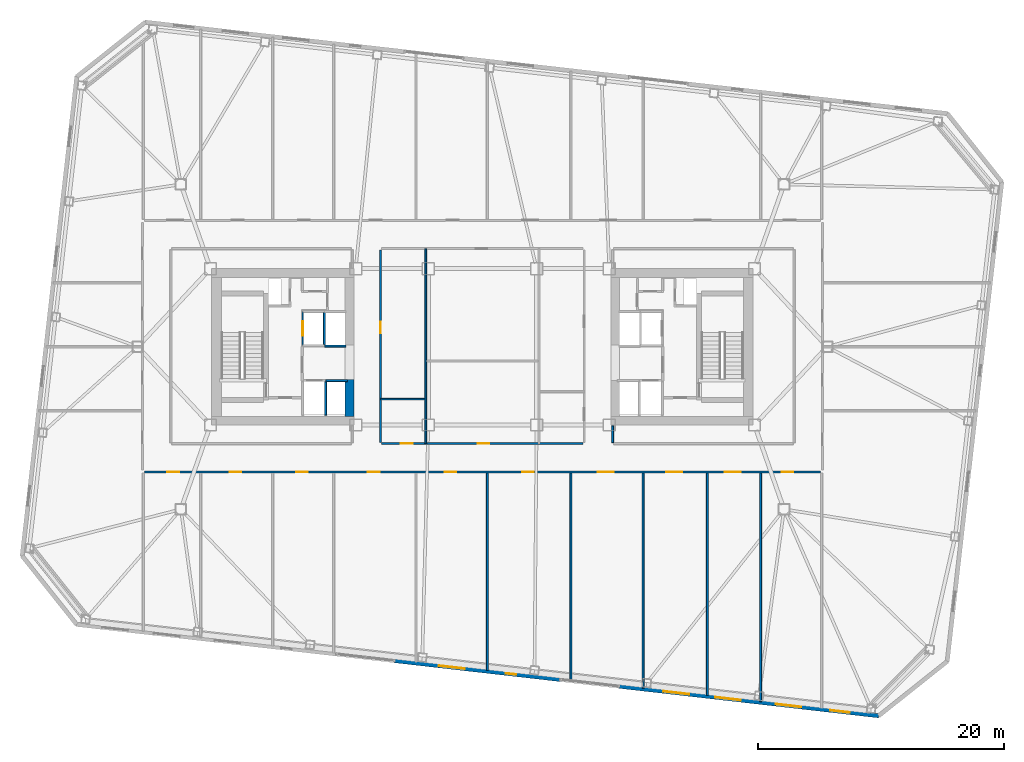
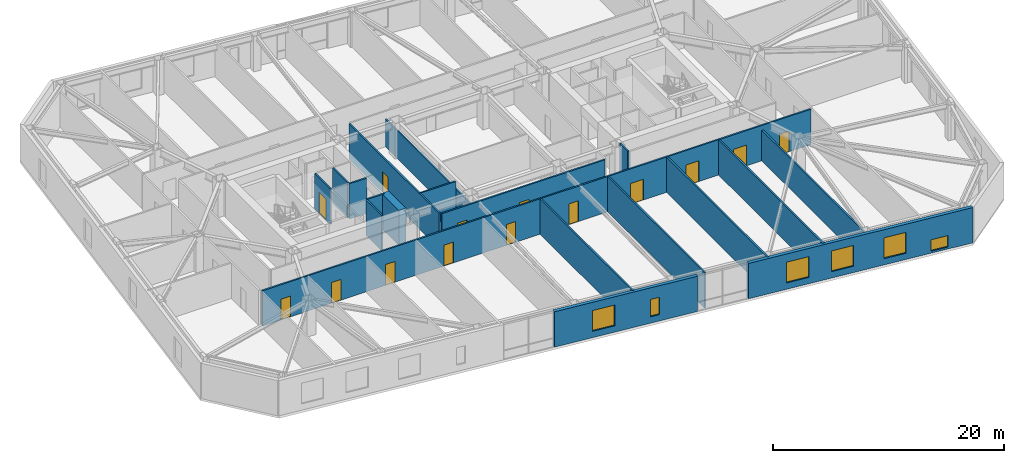
# One storey, part 12 of 21: 19 walls, 14 doors, 6 windows, 20 openings.
"""IFC4 building model written with IfcOpenShell, lengths in metres."""

from ifc_helpers import new_model, si_unit, direction, frame, frame_2d, origin, place, context, subcontext, project, spatial, rectangle, extrude, material, layer, layer_set, type_object, element, fill, save


model = new_model("IFC4")

# Units and contexts
model_context = context("Model", 3, precision=1e-05, world=origin(), true_north=direction((0.0, 1.0)))
body_context = subcontext(model_context, "Body", "Model", "MODEL_VIEW")
ifc_project = project(units=[si_unit("LENGTHUNIT", "METRE"), si_unit("AREAUNIT", "SQUARE_METRE"), si_unit("VOLUMEUNIT", "CUBIC_METRE"), si_unit("PLANEANGLEUNIT", "RADIAN"), si_unit("MASSUNIT", "GRAM", prefix="KILO")], contexts=[model_context])

# Site, building, storey
site_placement = place(None, origin())
site = spatial("IfcSite", under=ifc_project, at=site_placement, CompositionType="ELEMENT")
building_placement = place(site_placement, origin())
building = spatial("IfcBuilding", under=site, at=building_placement, Name="Tavrogorsk Clinical Tower", CompositionType="ELEMENT")
storey_placement = place(building_placement, frame((0.0, 0.0, 129.39990234375)))
storey = spatial("IfcBuildingStorey", under=building, at=storey_placement, Name="L29", CompositionType="ELEMENT", Elevation=129.39990234375)

# Walls
ifc_material_1 = material(Name="Lightweight concrete blockwork B15", Category="masonry")
ifc_layer_1 = layer(ifc_material_1, 0.139892578125)
ifc_layer_set_1 = layer_set([ifc_layer_1], Name="Lightweight concrete blockwork B15")
wall_type_1 = type_object("IfcWallType", Name="PartitionWall_140", PredefinedType="PARTITIONING", material=ifc_layer_set_1)
wall_1_placement = place(storey_placement, frame((-4.60009765625, -7.864990234375, 0.0), z_axis=(0.0, 0.0, 1.0), x_axis=(0.0, 1.0, 0.0)))
element("IfcWall", 1, at=wall_1_placement, inside=storey, type_object=wall_type_1, Name="L29 Central Spine Partition 1", PredefinedType="PARTITIONING", context=body_context, shape_type="SweptSolid", body=[
    extrude(rectangle(XDim=15.830078125, YDim=0.139892578125, at=frame_2d((7.9150390625, 0.0))), origin(), (0.0, 0.0, 1.0), 2.93505859375),
])
wall_2_placement = place(storey_placement, frame((-8.264892578125, -4.25, 0.0), z_axis=(0.0, 0.0, 1.0), x_axis=(1.0, 0.0, 0.0)))
element("IfcWall", 2, at=wall_2_placement, inside=storey, type_object=wall_type_1, Name="L29 Central Spine Partition 4", PredefinedType="PARTITIONING", context=body_context, shape_type="SweptSolid", body=[
    extrude(rectangle(XDim=3.58984375, YDim=0.139892578125, at=frame_2d((1.794921875, 0.0))), origin(), (0.0, 0.0, 1.0), 3.739990234375),
])

# Wall, openings, doors
ifc_material_2 = material(Name="Lightweight concrete blockwork B15", Category="masonry")
ifc_layer_2 = layer(ifc_material_2, 0.159912109375)
ifc_layer_set_2 = layer_set([ifc_layer_2], Name="Lightweight concrete blockwork B15")
wall_type_2 = type_object("IfcWallType", Name="PartitionWall_160", PredefinedType="PARTITIONING", material=ifc_layer_set_2)
wall_3_placement = place(storey_placement, frame((27.465087890625, -10.179931640625, 0.0), z_axis=(0.0, 0.0, 1.0), x_axis=(-1.0, 0.0, 0.0)))
wall_3 = element("IfcWall", 3, at=wall_3_placement, inside=storey, type_object=wall_type_2, Name="L29 Corridor Partition 04", PredefinedType="PARTITIONING", context=body_context, shape_type="SweptSolid", body=[
    extrude(rectangle(XDim=54.93017578125, YDim=0.159912109375, at=frame_2d((27.465087890625, 0.0))), origin(), (0.0, 0.0, 1.0), 3.739990234375),
])
opening_1_placement = place(wall_3_placement, frame((52.10595703125, 0.0, 0.0)))
opening_1 = element("IfcOpeningElement", 4, at=opening_1_placement, cuts=wall_3, Name="Opening ID-02", PredefinedType="OPENING", context=body_context, shape_type="SweptSolid", body=[
    extrude(rectangle(XDim=0.949951171875, YDim=2.199951171875, at=frame_2d((0.47509765625, 1.10009765625))), frame((0.0, 0.08984375, 0.0), z_axis=(0.0, -1.0, 0.0), x_axis=(1.0, 0.0, 0.0)), (0.0, 0.0, 1.0), 0.179931640625),
])
opening_2_placement = place(wall_3_placement, frame((47.050048828125, 0.0, 0.0)))
opening_2 = element("IfcOpeningElement", 5, at=opening_2_placement, cuts=wall_3, Name="Opening ID-02", PredefinedType="OPENING", context=body_context, shape_type="SweptSolid", body=[
    extrude(rectangle(XDim=0.949951171875, YDim=2.199951171875, at=frame_2d((0.47509765625, 1.10009765625))), frame((0.0, 0.08984375, 0.0), z_axis=(0.0, -1.0, 0.0), x_axis=(1.0, 0.0, 0.0)), (0.0, 0.0, 1.0), 0.179931640625),
])
opening_3_placement = place(wall_3_placement, frame((41.64990234375, 0.0, 0.0)))
opening_3 = element("IfcOpeningElement", 6, at=opening_3_placement, cuts=wall_3, Name="Opening ID-02", PredefinedType="OPENING", context=body_context, shape_type="SweptSolid", body=[
    extrude(rectangle(XDim=0.949951171875, YDim=2.199951171875, at=frame_2d((0.47509765625, 1.10009765625))), frame((0.0, 0.08984375, 0.0), z_axis=(0.0, -1.0, 0.0), x_axis=(1.0, 0.0, 0.0)), (0.0, 0.0, 1.0), 0.179931640625),
])
opening_4_placement = place(wall_3_placement, frame((35.824951171875, 0.0, 0.0)))
opening_4 = element("IfcOpeningElement", 7, at=opening_4_placement, cuts=wall_3, Name="Opening ID-02", PredefinedType="OPENING", context=body_context, shape_type="SweptSolid", body=[
    extrude(rectangle(XDim=0.949951171875, YDim=2.199951171875, at=frame_2d((0.47509765625, 1.10009765625))), frame((0.0, 0.08984375, 0.0), z_axis=(0.0, -1.0, 0.0), x_axis=(1.0, 0.0, 0.0)), (0.0, 0.0, 1.0), 0.179931640625),
])
opening_5_placement = place(wall_3_placement, frame((29.574951171875, 0.0, 0.0)))
opening_5 = element("IfcOpeningElement", 8, at=opening_5_placement, cuts=wall_3, Name="Opening ID-02", PredefinedType="OPENING", context=body_context, shape_type="SweptSolid", body=[
    extrude(rectangle(XDim=0.949951171875, YDim=2.199951171875, at=frame_2d((0.47509765625, 1.10009765625))), frame((0.0, 0.08984375, 0.0), z_axis=(0.0, -1.0, 0.0), x_axis=(1.0, 0.0, 0.0)), (0.0, 0.0, 1.0), 0.179931640625),
])
opening_6_placement = place(wall_3_placement, frame((23.284912109375, 0.0, 0.0)))
opening_6 = element("IfcOpeningElement", 9, at=opening_6_placement, cuts=wall_3, Name="Opening ID-02", PredefinedType="OPENING", context=body_context, shape_type="SweptSolid", body=[
    extrude(rectangle(XDim=0.949951171875, YDim=2.199951171875, at=frame_2d((0.47509765625, 1.10009765625))), frame((0.0, 0.08984375, 0.0), z_axis=(0.0, -1.0, 0.0), x_axis=(1.0, 0.0, 0.0)), (0.0, 0.0, 1.0), 0.179931640625),
])
opening_7_placement = place(wall_3_placement, frame((16.780029296875, 0.0, 0.0)))
opening_7 = element("IfcOpeningElement", 10, at=opening_7_placement, cuts=wall_3, Name="Opening ID-01", PredefinedType="OPENING", context=body_context, shape_type="SweptSolid", body=[
    extrude(rectangle(XDim=1.300048828125, YDim=2.199951171875, at=frame_2d((0.64990234375, 1.10009765625))), frame((0.0, 0.08984375, 0.0), z_axis=(0.0, -1.0, 0.0), x_axis=(1.0, 0.0, 0.0)), (0.0, 0.0, 1.0), 0.179931640625),
])
opening_8_placement = place(wall_3_placement, frame((11.22998046875, 0.0, 0.0)))
opening_8 = element("IfcOpeningElement", 11, at=opening_8_placement, cuts=wall_3, Name="Opening ID-01", PredefinedType="OPENING", context=body_context, shape_type="SweptSolid", body=[
    extrude(rectangle(XDim=1.300048828125, YDim=2.199951171875, at=frame_2d((0.64990234375, 1.10009765625))), frame((0.0, 0.08984375, 0.0), z_axis=(0.0, -1.0, 0.0), x_axis=(1.0, 0.0, 0.0)), (0.0, 0.0, 1.0), 0.179931640625),
])
opening_9_placement = place(wall_3_placement, frame((6.4599609375, 0.0, 0.0)))
opening_9 = element("IfcOpeningElement", 12, at=opening_9_placement, cuts=wall_3, Name="Opening ID-01", PredefinedType="OPENING", context=body_context, shape_type="SweptSolid", body=[
    extrude(rectangle(XDim=1.300048828125, YDim=2.199951171875, at=frame_2d((0.64990234375, 1.10009765625))), frame((0.0, 0.08984375, 0.0), z_axis=(0.0, -1.0, 0.0), x_axis=(1.0, 0.0, 0.0)), (0.0, 0.0, 1.0), 0.179931640625),
])
opening_10_placement = place(wall_3_placement, frame((2.194091796875, 0.0, 0.0)))
opening_10 = element("IfcOpeningElement", 13, at=opening_10_placement, cuts=wall_3, Name="Opening ID-02", PredefinedType="OPENING", context=body_context, shape_type="SweptSolid", body=[
    extrude(rectangle(XDim=0.949951171875, YDim=2.199951171875, at=frame_2d((0.47509765625, 1.10009765625))), frame((0.0, 0.08984375, 0.0), z_axis=(0.0, -1.0, 0.0), x_axis=(1.0, 0.0, 0.0)), (0.0, 0.0, 1.0), 0.179931640625),
])
ifc_material_3 = material(Name="Laminated timber leaf on aluminium frame", Category="wood")
door_type_1 = type_object("IfcDoorType", Name="InteriorDoor_ID02_950", OperationType="NOTDEFINED", PredefinedType="DOOR", material=ifc_material_3)
door_1_placement = place(opening_1_placement, origin())
door_1 = element("IfcDoor", 14, at=door_1_placement, inside=storey, type_object=door_type_1, Name="L29 South Clean Medication & Prep Room 01 Door", OperationType="SINGLE_SWING_RIGHT", OverallHeight=2.199951171875, OverallWidth=0.949951171875, PredefinedType="DOOR", context=body_context, shape_type="SweptSolid", body=[
    extrude(rectangle(XDim=0.949951171875, YDim=2.199951171875, at=frame_2d((0.47509765625, 1.10009765625))), frame((0.0, 0.02490234375, 0.0), z_axis=(0.0, -1.0, 0.0), x_axis=(1.0, 0.0, 0.0)), (0.0, 0.0, 1.0), 0.050048828125),
])
fill(opening_1, door_1)
door_2_placement = place(opening_2_placement, origin())
door_2 = element("IfcDoor", 15, at=door_2_placement, inside=storey, type_object=door_type_1, Name="L29 South Outpatient Procedure Suite 02A Door", OperationType="SINGLE_SWING_LEFT", OverallHeight=2.199951171875, OverallWidth=0.949951171875, PredefinedType="DOOR", context=body_context, shape_type="SweptSolid", body=[
    extrude(rectangle(XDim=0.949951171875, YDim=2.199951171875, at=frame_2d((0.47509765625, 1.10009765625))), frame((0.0, 0.02490234375, 0.0), z_axis=(0.0, -1.0, 0.0), x_axis=(1.0, 0.0, 0.0)), (0.0, 0.0, 1.0), 0.050048828125),
])
fill(opening_2, door_2)
door_3_placement = place(opening_3_placement, origin())
door_3 = element("IfcDoor", 16, at=door_3_placement, inside=storey, type_object=door_type_1, Name="L29 South Clinical Case Seminar Room 02B Door", OperationType="SINGLE_SWING_RIGHT", OverallHeight=2.199951171875, OverallWidth=0.949951171875, PredefinedType="DOOR", context=body_context, shape_type="SweptSolid", body=[
    extrude(rectangle(XDim=0.949951171875, YDim=2.199951171875, at=frame_2d((0.47509765625, 1.10009765625))), frame((0.0, 0.02490234375, 0.0), z_axis=(0.0, -1.0, 0.0), x_axis=(1.0, 0.0, 0.0)), (0.0, 0.0, 1.0), 0.050048828125),
])
fill(opening_3, door_3)
door_4_placement = place(opening_4_placement, origin())
door_4 = element("IfcDoor", 17, at=door_4_placement, inside=storey, type_object=door_type_1, Name="L29 South Cardiology Diagnostics Room 03A Door", OperationType="SINGLE_SWING_LEFT", OverallHeight=2.199951171875, OverallWidth=0.949951171875, PredefinedType="DOOR", context=body_context, shape_type="SweptSolid", body=[
    extrude(rectangle(XDim=0.949951171875, YDim=2.199951171875, at=frame_2d((0.47509765625, 1.10009765625))), frame((0.0, 0.02490234375, 0.0), z_axis=(0.0, -1.0, 0.0), x_axis=(1.0, 0.0, 0.0)), (0.0, 0.0, 1.0), 0.050048828125),
])
fill(opening_4, door_4)
door_5_placement = place(opening_5_placement, origin())
door_5 = element("IfcDoor", 18, at=door_5_placement, inside=storey, type_object=door_type_1, Name="L29 South Staff Rest & Nourishment Lounge 03B Door", OperationType="SINGLE_SWING_RIGHT", OverallHeight=2.199951171875, OverallWidth=0.949951171875, PredefinedType="DOOR", context=body_context, shape_type="SweptSolid", body=[
    extrude(rectangle(XDim=0.949951171875, YDim=2.199951171875, at=frame_2d((0.47509765625, 1.10009765625))), frame((0.0, 0.02490234375, 0.0), z_axis=(0.0, -1.0, 0.0), x_axis=(1.0, 0.0, 0.0)), (0.0, 0.0, 1.0), 0.050048828125),
])
fill(opening_5, door_5)
door_6_placement = place(opening_6_placement, origin())
door_6 = element("IfcDoor", 19, at=door_6_placement, inside=storey, type_object=door_type_1, Name="L29 South Attending Physician Office 04A Door", OperationType="SINGLE_SWING_LEFT", OverallHeight=2.199951171875, OverallWidth=0.949951171875, PredefinedType="DOOR", context=body_context, shape_type="SweptSolid", body=[
    extrude(rectangle(XDim=0.949951171875, YDim=2.199951171875, at=frame_2d((0.47509765625, 1.10009765625))), frame((0.0, 0.02490234375, 0.0), z_axis=(0.0, -1.0, 0.0), x_axis=(1.0, 0.0, 0.0)), (0.0, 0.0, 1.0), 0.050048828125),
])
fill(opening_6, door_6)
door_7_placement = place(opening_10_placement, origin())
door_7 = element("IfcDoor", 20, at=door_7_placement, inside=storey, type_object=door_type_1, Name="L29 South Clean Medication & Prep Room 06 Door", OperationType="SINGLE_SWING_LEFT", OverallHeight=2.199951171875, OverallWidth=0.949951171875, PredefinedType="DOOR", context=body_context, shape_type="SweptSolid", body=[
    extrude(rectangle(XDim=0.949951171875, YDim=2.199951171875, at=frame_2d((0.47509765625, 1.10009765625))), frame((0.0, 0.02490234375, 0.0), z_axis=(0.0, -1.0, 0.0), x_axis=(1.0, 0.0, 0.0)), (0.0, 0.0, 1.0), 0.050048828125),
])
fill(opening_10, door_7)
ifc_material_4 = material(Name="Antibacterial HPL medical leaf on aluminium frame", Category="aluminium")
door_type_2 = type_object("IfcDoorType", Name="WardBedDoor_ID01_1300", OperationType="NOTDEFINED", PredefinedType="DOOR", material=ifc_material_4)
door_8_placement = place(opening_7_placement, origin())
door_8 = element("IfcDoor", 21, at=door_8_placement, inside=storey, type_object=door_type_2, Name="L29 South Bariatric Observation Ward 04B Door", OperationType="SINGLE_SWING_RIGHT", OverallHeight=2.199951171875, OverallWidth=1.300048828125, PredefinedType="DOOR", context=body_context, shape_type="SweptSolid", body=[
    extrude(rectangle(XDim=1.300048828125, YDim=2.199951171875, at=frame_2d((0.64990234375, 1.10009765625))), frame((0.0, 0.02490234375, 0.0), z_axis=(0.0, -1.0, 0.0), x_axis=(1.0, 0.0, 0.0)), (0.0, 0.0, 1.0), 0.050048828125),
])
fill(opening_7, door_8)
door_9_placement = place(opening_8_placement, origin())
door_9 = element("IfcDoor", 22, at=door_9_placement, inside=storey, type_object=door_type_2, Name="L29 South Acute Medical Ward 05A Door", OperationType="SINGLE_SWING_LEFT", OverallHeight=2.199951171875, OverallWidth=1.300048828125, PredefinedType="DOOR", context=body_context, shape_type="SweptSolid", body=[
    extrude(rectangle(XDim=1.300048828125, YDim=2.199951171875, at=frame_2d((0.64990234375, 1.10009765625))), frame((0.0, 0.02490234375, 0.0), z_axis=(0.0, -1.0, 0.0), x_axis=(1.0, 0.0, 0.0)), (0.0, 0.0, 1.0), 0.050048828125),
])
fill(opening_8, door_9)
door_10_placement = place(opening_9_placement, origin())
door_10 = element("IfcDoor", 23, at=door_10_placement, inside=storey, type_object=door_type_2, Name="L29 South Surgical Step-Down Ward 05B Door", OperationType="SINGLE_SWING_RIGHT", OverallHeight=2.199951171875, OverallWidth=1.300048828125, PredefinedType="DOOR", context=body_context, shape_type="SweptSolid", body=[
    extrude(rectangle(XDim=1.300048828125, YDim=2.199951171875, at=frame_2d((0.64990234375, 1.10009765625))), frame((0.0, 0.02490234375, 0.0), z_axis=(0.0, -1.0, 0.0), x_axis=(1.0, 0.0, 0.0)), (0.0, 0.0, 1.0), 0.050048828125),
])
fill(opening_9, door_10)

# Wall
wall_4_placement = place(storey_placement, frame((10.580078125, -6.419921875, 0.0), z_axis=(0.0, 0.0, 1.0), x_axis=(0.0, -1.0, 0.0)))
element("IfcWall", 24, at=wall_4_placement, inside=storey, type_object=wall_type_2, Name="L29 Corridor Partition 07", PredefinedType="PARTITIONING", context=body_context, shape_type="SweptSolid", body=[
    extrude(rectangle(XDim=1.364990234375, YDim=0.159912109375, at=frame_2d((0.6826171875, 0.0))), origin(), (0.0, 0.0, 1.0), 3.739990234375),
])

# Wall, opening, door
wall_5_placement = place(storey_placement, frame((-8.27001953125, 7.885009765625, 0.0), z_axis=(0.0, 0.0, 1.0), x_axis=(0.0, -1.0, 0.0)))
wall_5 = element("IfcWall", 25, at=wall_5_placement, inside=storey, type_object=wall_type_2, Name="L29 Corridor Partition 12", PredefinedType="PARTITIONING", context=body_context, shape_type="SweptSolid", body=[
    extrude(rectangle(XDim=15.669921875, YDim=0.159912109375, at=frame_2d((7.8349609375, 0.0))), origin(), (0.0, 0.0, 1.0), 3.739990234375),
])
opening_11_placement = place(wall_5_placement, frame((5.8291015625, 0.0, 0.0)))
opening_11 = element("IfcOpeningElement", 26, at=opening_11_placement, cuts=wall_5, Name="Opening ID-02", PredefinedType="OPENING", context=body_context, shape_type="SweptSolid", body=[
    extrude(rectangle(XDim=0.949951171875, YDim=2.199951171875, at=frame_2d((0.47509765625, 1.10009765625))), frame((0.0, 0.08984375, 0.0), z_axis=(0.0, -1.0, 0.0), x_axis=(1.0, 0.0, 0.0)), (0.0, 0.0, 1.0), 0.179931640625),
])
door_11_placement = place(opening_11_placement, origin())
door_11 = element("IfcDoor", 27, at=door_11_placement, inside=storey, type_object=door_type_1, Name="L29 Ward Nourishment Pantry Door", OperationType="SINGLE_SWING_LEFT", OverallHeight=2.199951171875, OverallWidth=0.949951171875, PredefinedType="DOOR", context=body_context, shape_type="SweptSolid", body=[
    extrude(rectangle(XDim=0.949951171875, YDim=2.199951171875, at=frame_2d((0.47509765625, 1.10009765625))), frame((0.0, 0.02490234375, 0.0), z_axis=(0.0, -1.0, 0.0), x_axis=(1.0, 0.0, 0.0)), (0.0, 0.0, 1.0), 0.050048828125),
])
fill(opening_11, door_11)

# Wall, openings, doors
wall_6_placement = place(storey_placement, frame((-8.18505859375, -7.8701171875, 0.0), z_axis=(0.0, 0.0, 1.0), x_axis=(1.0, 0.0, 0.0)))
wall_6 = element("IfcWall", 28, at=wall_6_placement, inside=storey, type_object=wall_type_2, Name="L29 Corridor Partition 13", PredefinedType="PARTITIONING", context=body_context, shape_type="SweptSolid", body=[
    extrude(rectangle(XDim=16.3701171875, YDim=0.159912109375, at=frame_2d((8.18505859375, 0.0))), origin(), (0.0, 0.0, 1.0), 3.739990234375),
])
opening_12_placement = place(wall_6_placement, frame((1.55419921875, 0.0, 0.0)))
opening_12 = element("IfcOpeningElement", 29, at=opening_12_placement, cuts=wall_6, Name="Opening ID-02", PredefinedType="OPENING", context=body_context, shape_type="SweptSolid", body=[
    extrude(rectangle(XDim=0.949951171875, YDim=2.199951171875, at=frame_2d((0.47509765625, 1.10009765625))), frame((0.0, 0.08984375, 0.0), z_axis=(0.0, -1.0, 0.0), x_axis=(1.0, 0.0, 0.0)), (0.0, 0.0, 1.0), 0.179931640625),
])
opening_13_placement = place(wall_6_placement, frame((7.794921875, 0.0, 0.0)))
opening_13 = element("IfcOpeningElement", 30, at=opening_13_placement, cuts=wall_6, Name="Opening ID-02", PredefinedType="OPENING", context=body_context, shape_type="SweptSolid", body=[
    extrude(rectangle(XDim=0.949951171875, YDim=2.199951171875, at=frame_2d((0.47509765625, 1.10009765625))), frame((0.0, 0.08984375, 0.0), z_axis=(0.0, -1.0, 0.0), x_axis=(1.0, 0.0, 0.0)), (0.0, 0.0, 1.0), 0.179931640625),
])
door_12_placement = place(opening_12_placement, origin())
door_12 = element("IfcDoor", 31, at=door_12_placement, inside=storey, type_object=door_type_1, Name="L29 Accessible Patient Lavatory Door", OperationType="SINGLE_SWING_RIGHT", OverallHeight=2.199951171875, OverallWidth=0.949951171875, PredefinedType="DOOR", context=body_context, shape_type="SweptSolid", body=[
    extrude(rectangle(XDim=0.949951171875, YDim=2.199951171875, at=frame_2d((0.47509765625, 1.10009765625))), frame((0.0, 0.02490234375, 0.0), z_axis=(0.0, -1.0, 0.0), x_axis=(1.0, 0.0, 0.0)), (0.0, 0.0, 1.0), 0.050048828125),
])
fill(opening_12, door_12)
door_13_placement = place(opening_13_placement, origin())
door_13 = element("IfcDoor", 32, at=door_13_placement, inside=storey, type_object=door_type_1, Name="L29 Multidisciplinary Conference Room Door", OperationType="SINGLE_SWING_RIGHT", OverallHeight=2.199951171875, OverallWidth=0.949951171875, PredefinedType="DOOR", context=body_context, shape_type="SweptSolid", body=[
    extrude(rectangle(XDim=0.949951171875, YDim=2.199951171875, at=frame_2d((0.47509765625, 1.10009765625))), frame((0.0, 0.02490234375, 0.0), z_axis=(0.0, -1.0, 0.0), x_axis=(1.0, 0.0, 0.0)), (0.0, 0.0, 1.0), 0.050048828125),
])
fill(opening_13, door_13)

# Walls
wall_7_placement = place(storey_placement, frame((0.39990234375, -26.291015625, 0.0), z_axis=(0.0, 0.0, 1.0), x_axis=(0.0, 1.0, 0.0)))
element("IfcWall", 33, at=wall_7_placement, inside=storey, type_object=wall_type_2, Name="L29 South Room Partition 3", PredefinedType="PARTITIONING", context=body_context, shape_type="SweptSolid", body=[
    extrude(rectangle(XDim=16.026123046875, YDim=0.159912109375, at=frame_2d((8.01318359375, 0.0))), origin(), (0.0, 0.0, 1.0), 3.739990234375),
])
wall_8_placement = place(storey_placement, frame((13.06005859375, -27.7333984375, 0.0), z_axis=(0.0, 0.0, 1.0), x_axis=(0.0, 1.0, 0.0)))
element("IfcWall", 34, at=wall_8_placement, inside=storey, type_object=wall_type_2, Name="L29 South Room Partition 4", PredefinedType="PARTITIONING", context=body_context, shape_type="SweptSolid", body=[
    extrude(rectangle(XDim=17.468505859375, YDim=0.159912109375, at=frame_2d((8.734375, 0.0))), origin(), (0.0, 0.0, 1.0), 3.739990234375),
])
wall_9_placement = place(storey_placement, frame((22.60009765625, -28.8203125, 0.0), z_axis=(0.0, 0.0, 1.0), x_axis=(0.0, 1.0, 0.0)))
element("IfcWall", 35, at=wall_9_placement, inside=storey, type_object=wall_type_2, Name="L29 South Room Partition 5", PredefinedType="PARTITIONING", context=body_context, shape_type="SweptSolid", body=[
    extrude(rectangle(XDim=18.555419921875, YDim=0.159912109375, at=frame_2d((9.27783203125, 0.0))), origin(), (0.0, 0.0, 1.0), 3.235107421875),
])
wall_10_placement = place(storey_placement, frame((7.179931640625, -27.0634765625, 0.0), z_axis=(0.0, 0.0, 1.0), x_axis=(0.0, 1.0, 0.0)))
element("IfcWall", 36, at=wall_10_placement, inside=storey, type_object=wall_type_2, Name="L29 South Sub-Partition 4", PredefinedType="PARTITIONING", context=body_context, shape_type="SweptSolid", body=[
    extrude(rectangle(XDim=16.798583984375, YDim=0.159912109375, at=frame_2d((8.3994140625, 0.0))), origin(), (0.0, 0.0, 1.0), 3.739990234375),
])
wall_11_placement = place(storey_placement, frame((18.280029296875, -28.328125, 0.0), z_axis=(0.0, 0.0, 1.0), x_axis=(0.0, 1.0, 0.0)))
element("IfcWall", 37, at=wall_11_placement, inside=storey, type_object=wall_type_2, Name="L29 South Sub-Partition 5", PredefinedType="PARTITIONING", context=body_context, shape_type="SweptSolid", body=[
    extrude(rectangle(XDim=18.063232421875, YDim=0.159912109375, at=frame_2d((9.03173828125, 0.0))), origin(), (0.0, 0.0, 1.0), 3.739990234375),
])

# Wall, openings, windows
ifc_material_5 = material(Name="Precast concrete B45 with limestone cladding", Category="masonry")
ifc_layer_3 = layer(ifc_material_5, 0.340087890625)
ifc_layer_set_3 = layer_set([ifc_layer_3], Name="Precast concrete B45 with limestone cladding")
wall_type_3 = type_object("IfcWallType", Name="PrecastLimestoneWall_340", PredefinedType="STANDARD", material=ifc_layer_set_3)
wall_12_placement = place(storey_placement, frame((-7.121826171875, -25.50439453125, 0.0), z_axis=(0.0, 0.0, 1.0), x_axis=(0.993571685551, -0.11320470693, 0.0)))
wall_12 = element("IfcWall", 38, at=wall_12_placement, inside=storey, type_object=wall_type_3, Name="L29 S Limestone Facade Wall 2", PredefinedType="STANDARD", context=body_context, shape_type="SweptSolid", body=[
    extrude(rectangle(XDim=13.554443359375, YDim=0.340087890625, at=frame_2d((6.77734375, 0.0))), origin(), (0.0, 0.0, 1.0), 3.739990234375),
])
opening_14_placement = place(wall_12_placement, frame((3.616455078125, 0.0, 0.669921875)))
opening_14 = element("IfcOpeningElement", 39, at=opening_14_placement, cuts=wall_12, Name="Opening WN-03", PredefinedType="OPENING", context=body_context, shape_type="SweptSolid", body=[
    extrude(rectangle(XDim=2.10009765625, YDim=2.199951171875, at=frame_2d((1.050048828125, 1.10009765625))), frame((0.0, 0.179931640625, 0.0), z_axis=(0.0, -1.0, 0.0), x_axis=(1.0, 0.0, 0.0)), (0.0, 0.0, 1.0), 0.360107421875),
])
opening_15_placement = place(wall_12_placement, frame((9.087890625, 0.0, 0.669921875)))
opening_15 = element("IfcOpeningElement", 40, at=opening_15_placement, cuts=wall_12, Name="Opening WN-06", PredefinedType="OPENING", context=body_context, shape_type="SweptSolid", body=[
    extrude(rectangle(XDim=0.85009765625, YDim=1.85009765625, at=frame_2d((0.425048828125, 0.925048828125))), frame((0.0, 0.179931640625, 0.0), z_axis=(0.0, -1.0, 0.0), x_axis=(1.0, 0.0, 0.0)), (0.0, 0.0, 1.0), 0.360107421875),
])
ifc_material_6 = material(Name="Thermally broken aluminium frame and triple IGU", Category="aluminium")
window_type_1 = type_object("IfcWindowType", Name="MullionSubWin_850x1850", PartitioningType="SINGLE_PANEL", PredefinedType="WINDOW", material=ifc_material_6)
window_1_placement = place(opening_15_placement, origin())
window_1 = element("IfcWindow", 41, at=window_1_placement, inside=storey, type_object=window_type_1, Name="L29 S Mullion Split Window 06B", OverallHeight=1.85009765625, OverallWidth=0.85009765625, PartitioningType="SINGLE_PANEL", PredefinedType="WINDOW", context=body_context, shape_type="SweptSolid", body=[
    extrude(rectangle(XDim=0.85009765625, YDim=1.85009765625, at=frame_2d((0.425048828125, 0.925048828125))), frame((0.0, 0.030029296875, 0.0), z_axis=(0.0, -1.0, 0.0), x_axis=(1.0, 0.0, 0.0)), (0.0, 0.0, 1.0), 0.06005859375),
])
fill(opening_15, window_1)
ifc_material_7 = material(Name="Thermally broken aluminium frame and triple IGU", Category="aluminium")
window_type_2 = type_object("IfcWindowType", Name="PatientTwinWin_2100x2200", PartitioningType="DOUBLE_PANEL_VERTICAL", PredefinedType="WINDOW", material=ifc_material_7)
window_2_placement = place(opening_14_placement, origin())
window_2 = element("IfcWindow", 42, at=window_2_placement, inside=storey, type_object=window_type_2, Name="L29 S Chicago Window 05", OverallHeight=2.199951171875, OverallWidth=2.10009765625, PartitioningType="SINGLE_PANEL", PredefinedType="WINDOW", context=body_context, shape_type="SweptSolid", body=[
    extrude(rectangle(XDim=2.10009765625, YDim=2.199951171875, at=frame_2d((1.050048828125, 1.10009765625))), frame((0.0, 0.030029296875, 0.0), z_axis=(0.0, -1.0, 0.0), x_axis=(1.0, 0.0, 0.0)), (0.0, 0.0, 1.0), 0.06005859375),
])
fill(opening_14, window_2)

wall_13_placement = place(storey_placement, frame((11.114501953125, -27.582275390625, 0.0), z_axis=(0.0, 0.0, 1.0), x_axis=(0.993572655904, -0.113196190044, 0.0)))
wall_13 = element("IfcWall", 43, at=wall_13_placement, inside=storey, type_object=wall_type_3, Name="L29 S Limestone Facade Wall 3", PredefinedType="STANDARD", context=body_context, shape_type="SweptSolid", body=[
    extrude(rectangle(XDim=21.222900390625, YDim=0.340087890625, at=frame_2d((10.611328125, 0.0))), origin(), (0.0, 0.0, 1.0), 3.739990234375),
])
opening_16_placement = place(wall_13_placement, frame((3.616455078125, 0.0, 0.669921875)))
opening_16 = element("IfcOpeningElement", 44, at=opening_16_placement, cuts=wall_13, Name="Opening WN-03", PredefinedType="OPENING", context=body_context, shape_type="SweptSolid", body=[
    extrude(rectangle(XDim=2.10009765625, YDim=2.199951171875, at=frame_2d((1.050048828125, 1.10009765625))), frame((0.0, 0.179931640625, 0.0), z_axis=(0.0, -1.0, 0.0), x_axis=(1.0, 0.0, 0.0)), (0.0, 0.0, 1.0), 0.360107421875),
])
opening_17_placement = place(wall_13_placement, frame((7.837890625, 0.0, 0.669921875)))
opening_17 = element("IfcOpeningElement", 45, at=opening_17_placement, cuts=wall_13, Name="Opening WN-03", PredefinedType="OPENING", context=body_context, shape_type="SweptSolid", body=[
    extrude(rectangle(XDim=2.10009765625, YDim=2.199951171875, at=frame_2d((1.050048828125, 1.10009765625))), frame((0.0, 0.179931640625, 0.0), z_axis=(0.0, -1.0, 0.0), x_axis=(1.0, 0.0, 0.0)), (0.0, 0.0, 1.0), 0.360107421875),
])
opening_18_placement = place(wall_13_placement, frame((12.793701171875, 0.0, 0.669921875)))
opening_18 = element("IfcOpeningElement", 46, at=opening_18_placement, cuts=wall_13, Name="Opening WN-03", PredefinedType="OPENING", context=body_context, shape_type="SweptSolid", body=[
    extrude(rectangle(XDim=2.10009765625, YDim=2.199951171875, at=frame_2d((1.050048828125, 1.10009765625))), frame((0.0, 0.179931640625, 0.0), z_axis=(0.0, -1.0, 0.0), x_axis=(1.0, 0.0, 0.0)), (0.0, 0.0, 1.0), 0.360107421875),
])
opening_19_placement = place(wall_13_placement, frame((17.264892578125, 0.0, 0.219970703125)))
opening_19 = element("IfcOpeningElement", 47, at=opening_19_placement, cuts=wall_13, Name="Opening WN-09", PredefinedType="OPENING", context=body_context, shape_type="SweptSolid", body=[
    extrude(rectangle(XDim=1.60009765625, YDim=1.199951171875, at=frame_2d((0.800048828125, 0.60009765625))), frame((0.0, 0.179931640625, 0.0), z_axis=(0.0, -1.0, 0.0), x_axis=(1.0, 0.0, 0.0)), (0.0, 0.0, 1.0), 0.360107421875),
])
ifc_material_8 = material(Name="Thermally broken aluminium frame and triple IGU", Category="aluminium")
window_type_3 = type_object("IfcWindowType", Name="LowHeadTransWin_1600x1200", PartitioningType="DOUBLE_PANEL_VERTICAL", PredefinedType="WINDOW", material=ifc_material_8)
window_3_placement = place(opening_19_placement, origin())
window_3 = element("IfcWindow", 48, at=window_3_placement, inside=storey, type_object=window_type_3, Name="L29 S Chicago Window 10", OverallHeight=1.199951171875, OverallWidth=1.60009765625, PartitioningType="SINGLE_PANEL", PredefinedType="WINDOW", context=body_context, shape_type="SweptSolid", body=[
    extrude(rectangle(XDim=1.60009765625, YDim=1.199951171875, at=frame_2d((0.800048828125, 0.60009765625))), frame((0.0, 0.030029296875, 0.0), z_axis=(0.0, -1.0, 0.0), x_axis=(1.0, 0.0, 0.0)), (0.0, 0.0, 1.0), 0.06005859375),
])
fill(opening_19, window_3)
window_4_placement = place(opening_16_placement, origin())
window_4 = element("IfcWindow", 49, at=window_4_placement, inside=storey, type_object=window_type_2, Name="L29 S Chicago Window 07", OverallHeight=2.199951171875, OverallWidth=2.10009765625, PartitioningType="SINGLE_PANEL", PredefinedType="WINDOW", context=body_context, shape_type="SweptSolid", body=[
    extrude(rectangle(XDim=2.10009765625, YDim=2.199951171875, at=frame_2d((1.050048828125, 1.10009765625))), frame((0.0, 0.030029296875, 0.0), z_axis=(0.0, -1.0, 0.0), x_axis=(1.0, 0.0, 0.0)), (0.0, 0.0, 1.0), 0.06005859375),
])
fill(opening_16, window_4)
window_5_placement = place(opening_17_placement, origin())
window_5 = element("IfcWindow", 50, at=window_5_placement, inside=storey, type_object=window_type_2, Name="L29 S Chicago Window 08", OverallHeight=2.199951171875, OverallWidth=2.10009765625, PartitioningType="SINGLE_PANEL", PredefinedType="WINDOW", context=body_context, shape_type="SweptSolid", body=[
    extrude(rectangle(XDim=2.10009765625, YDim=2.199951171875, at=frame_2d((1.050048828125, 1.10009765625))), frame((0.0, 0.030029296875, 0.0), z_axis=(0.0, -1.0, 0.0), x_axis=(1.0, 0.0, 0.0)), (0.0, 0.0, 1.0), 0.06005859375),
])
fill(opening_17, window_5)
window_6_placement = place(opening_18_placement, origin())
window_6 = element("IfcWindow", 51, at=window_6_placement, inside=storey, type_object=window_type_2, Name="L29 S Chicago Window 09", OverallHeight=2.199951171875, OverallWidth=2.10009765625, PartitioningType="SINGLE_PANEL", PredefinedType="WINDOW", context=body_context, shape_type="SweptSolid", body=[
    extrude(rectangle(XDim=2.10009765625, YDim=2.199951171875, at=frame_2d((1.050048828125, 1.10009765625))), frame((0.0, 0.030029296875, 0.0), z_axis=(0.0, -1.0, 0.0), x_axis=(1.0, 0.0, 0.0)), (0.0, 0.0, 1.0), 0.06005859375),
])
fill(opening_18, window_6)

# Wall, opening, door
ifc_material_9 = material(Name="Lightweight concrete blockwork B25", Category="masonry")
ifc_layer_4 = layer(ifc_material_9, 0.159912109375)
ifc_layer_set_4 = layer_set([ifc_layer_4], Name="Lightweight concrete blockwork B25")
wall_type_4 = type_object("IfcWallType", Name="ShaftWall_160", PredefinedType="PARTITIONING", material=ifc_layer_set_4)
wall_14_placement = place(storey_placement, frame((-14.60009765625, 0.1201171875, 0.0), z_axis=(0.0, 0.0, 1.0), x_axis=(0.0, 1.0, 0.0)))
wall_14 = element("IfcWall", 52, at=wall_14_placement, inside=storey, type_object=wall_type_4, Name="L29 FFL-W Firefighting Lift Front Wall", PredefinedType="PARTITIONING", context=body_context, shape_type="SweptSolid", body=[
    extrude(rectangle(XDim=2.739990234375, YDim=0.159912109375, at=frame_2d((1.3701171875, 0.0))), origin(), (0.0, 0.0, 1.0), 3.739990234375),
])
opening_20_placement = place(wall_14_placement, frame((0.77001953125, 0.0, 0.0)))
opening_20 = element("IfcOpeningElement", 53, at=opening_20_placement, cuts=wall_14, Name="Opening LD", PredefinedType="OPENING", context=body_context, shape_type="SweptSolid", body=[
    extrude(rectangle(XDim=1.199951171875, YDim=2.199951171875, at=frame_2d((0.60009765625, 1.10009765625))), frame((0.0, 0.08984375, 0.0), z_axis=(0.0, -1.0, 0.0), x_axis=(1.0, 0.0, 0.0)), (0.0, 0.0, 1.0), 0.179931640625),
])
ifc_material_10 = material(Name="Brushed stainless steel AISI 304 sliding doors", Category="steel")
door_type_3 = type_object("IfcDoorType", Name="LiftLandingDoor_LD_1200", OperationType="SLIDING_TO_LEFT", PredefinedType="DOOR", material=ifc_material_10)
door_14_placement = place(opening_20_placement, origin())
door_14 = element("IfcDoor", 54, at=door_14_placement, inside=storey, type_object=door_type_3, Name="L29 FFL-W Sliding Lift Landing Door", OperationType="SLIDING_TO_LEFT", OverallHeight=2.199951171875, OverallWidth=1.199951171875, PredefinedType="DOOR", context=body_context, shape_type="SweptSolid", body=[
    extrude(rectangle(XDim=1.199951171875, YDim=2.199951171875, at=frame_2d((0.60009765625, 1.10009765625))), frame((0.0, 0.02490234375, 0.0), z_axis=(0.0, -1.0, 0.0), x_axis=(1.0, 0.0, 0.0)), (0.0, 0.0, 1.0), 0.050048828125),
])
fill(opening_20, door_14)

# Walls
wall_15_placement = place(storey_placement, frame((-12.840087890625, 0.179931640625, 0.0), z_axis=(0.0, 0.0, 1.0), x_axis=(0.0, 1.0, 0.0)))
element("IfcWall", 55, at=wall_15_placement, inside=storey, type_object=wall_type_4, Name="L29 FFL-W Shaft Back Wall", PredefinedType="PARTITIONING", context=body_context, shape_type="SweptSolid", body=[
    extrude(rectangle(XDim=2.6201171875, YDim=0.159912109375, at=frame_2d((1.31005859375, 0.0))), origin(), (0.0, 0.0, 1.0), 3.739990234375),
])
wall_16_placement = place(storey_placement, frame((-12.75, -5.5400390625, 0.0), z_axis=(0.0, 0.0, 1.0), x_axis=(0.0, 1.0, 0.0)))
element("IfcWall", 56, at=wall_16_placement, inside=storey, type_object=wall_type_4, Name="L29 LP-L1 Lift Hoistway Divider Wall", PredefinedType="PARTITIONING", context=body_context, shape_type="SweptSolid", body=[
    extrude(rectangle(XDim=2.699951171875, YDim=0.159912109375, at=frame_2d((1.35009765625, 0.0))), origin(), (0.0, 0.0, 1.0), 3.739990234375),
])
wall_17_placement = place(storey_placement, frame((-12.72998046875, -2.75, 0.0), z_axis=(0.0, 0.0, 1.0), x_axis=(1.0, 0.0, 0.0)))
element("IfcWall", 57, at=wall_17_placement, inside=storey, type_object=wall_type_4, Name="L29 LP-M1 Lift Shaft Portal Wall", PredefinedType="PARTITIONING", context=body_context, shape_type="SweptSolid", body=[
    extrude(rectangle(XDim=1.760009765625, YDim=0.159912109375, at=frame_2d((0.8798828125, 0.0))), origin(), (0.0, 0.0, 1.0), 3.739990234375),
])
wall_18_placement = place(storey_placement, frame((-12.820068359375, 0.06005859375, 0.0), z_axis=(0.0, 0.0, 1.0), x_axis=(1.0, 0.0, 0.0)))
element("IfcWall", 58, at=wall_18_placement, inside=storey, type_object=wall_type_4, Name="L29 LP-H1 High-Zone Lift Portal Wall", PredefinedType="PARTITIONING", context=body_context, shape_type="SweptSolid", body=[
    extrude(rectangle(XDim=1.719970703125, YDim=0.159912109375, at=frame_2d((0.85986328125, 0.0))), origin(), (0.0, 0.0, 1.0), 3.739990234375),
])
ifc_material_11 = material(Name="Concrete B80", Category="concrete")
ifc_layer_5 = layer(ifc_material_11, 0.699951171875)
ifc_layer_set_5 = layer_set([ifc_layer_5], Name="Concrete B80")
wall_type_5 = type_object("IfcWallType", Name="ShearWall_700", PredefinedType="SHEAR", material=ifc_layer_set_5)
wall_19_placement = place(storey_placement, frame((-10.800048828125, -5.64990234375, 0.0), z_axis=(0.0, 0.0, 1.0), x_axis=(0.0, 1.0, 0.0)))
element("IfcWall", 59, at=wall_19_placement, inside=storey, type_object=wall_type_5, Name="L29 Core West Inner South Pier", PredefinedType="SHEAR", context=body_context, shape_type="SweptSolid", body=[
    extrude(rectangle(XDim=3.0, YDim=0.699951171875, at=frame_2d((1.5, 0.0))), origin(), (0.0, 0.0, 1.0), 3.739990234375),
])

save(model, "model.ifc")
